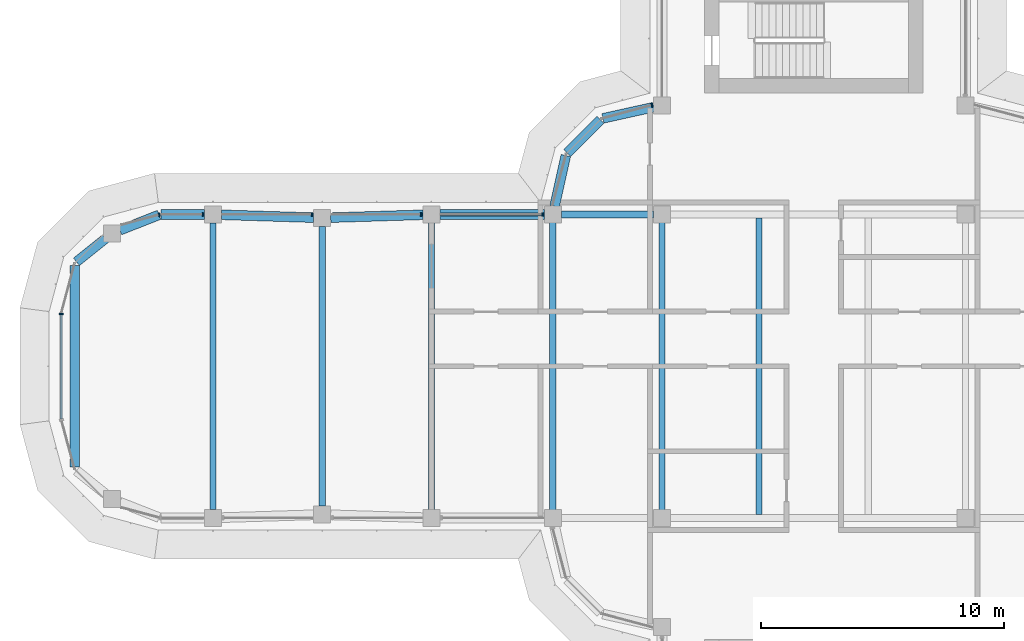
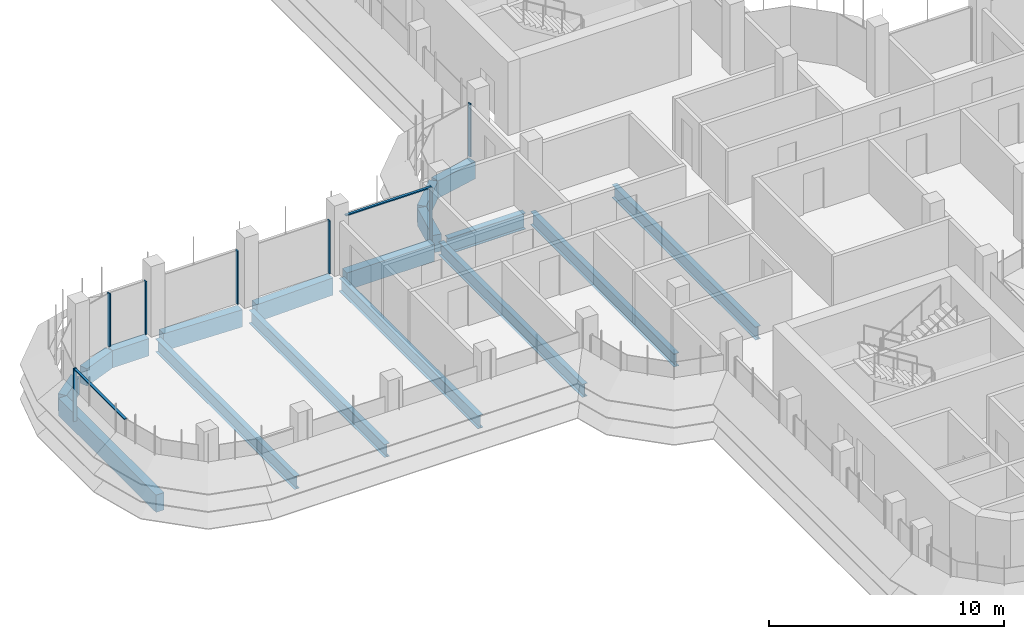
# One storey, part 6 of 18: 17 beams, 9 members, 4 elements without a shape of their own.
"""IFC4 building model written with IfcOpenShell, lengths in metres."""

from ifc_helpers import new_model, si_unit, direction, frame, origin, origin_2d, place, context, subcontext, project, spatial, polyline, rectangle, i_section, outline, extrude, source, transform, mapped, material, material_profile, profile_set, type_object, element, aggregate, save


model = new_model("IFC4")

# Units and contexts
model_context = context("Model", 3, precision=1e-05, world=origin(), true_north=direction((0.0, 1.0)))
body_context = subcontext(model_context, "Body", "Model", "MODEL_VIEW")
ifc_project = project(units=[si_unit("LENGTHUNIT", "METRE"), si_unit("AREAUNIT", "SQUARE_METRE"), si_unit("VOLUMEUNIT", "CUBIC_METRE"), si_unit("PLANEANGLEUNIT", "RADIAN"), si_unit("MASSUNIT", "GRAM", prefix="KILO")], contexts=[model_context])

# Site, building, storey
site_placement = place(None, origin())
site = spatial("IfcSite", under=ifc_project, at=site_placement, CompositionType="ELEMENT")
building_placement = place(site_placement, origin())
building = spatial("IfcBuilding", under=site, at=building_placement, Name="Zarbagh Exchange Tower", CompositionType="ELEMENT")
storey_placement = place(building_placement, frame((0.0, 0.0, 206.800048828125)))
storey = spatial("IfcBuildingStorey", under=building, at=storey_placement, Name="L50", CompositionType="ELEMENT", Elevation=206.800048828125)

# Beams
ifc_material_1 = material(Name="Steel ASTM A992 Gr 50", Category="steel")
ifc_material_profile_1 = material_profile(ifc_material_1, i_section(OverallWidth=0.25390625, OverallDepth=0.67822265625, WebThickness=0.01171875, FlangeThickness=0.016357421875, at=origin_2d()), Name="W27X84")
ifc_profile_set_1 = profile_set([ifc_material_profile_1], Name="Steel ASTM A992 Gr 50")
beam_type_1 = type_object("IfcBeamType", Name="Floor beam W27X84", PredefinedType="BEAM", material=ifc_profile_set_1)
for number, where, z_axis, x_axis, name in (
    (1, (-10.75, -6.10400390625, -0.4892578125), (0.0, 1.0, 0.0), (-1.0, 0.0, 0.0), "Steel floor beam"),
    (2, (-6.25, -6.10400390625, -0.4892578125), (0.0, 1.0, 0.0), (-1.0, 0.0, 0.0), "Steel floor beam"),
    (3, (-2.25, -6.10400390625, -0.4892578125), (0.0, 1.0, 0.0), (-1.0, 0.0, 0.0), "Steel floor beam"),
):
    element("IfcBeam", number, at=place(storey_placement, frame(where, z_axis=z_axis, x_axis=x_axis)), inside=storey, type_object=beam_type_1, Name=name, PredefinedType="BEAM", context=body_context, shape_type="SweptSolid", body=[
        extrude(i_section(OverallWidth=0.25390625, OverallDepth=0.67822265625, WebThickness=0.01171875, FlangeThickness=0.016357421875, at=origin_2d()), origin(), (0.0, 0.0, 1.0), 12.2080078125),
    ])
beam_1_placement = place(storey_placement, frame((-15.75, -5.89990234375, -0.4892578125), z_axis=(0.0, 1.0, 0.0), x_axis=(-1.0, 0.0, 0.0)))
element("IfcBeam", 4, at=beam_1_placement, inside=storey, type_object=beam_type_1, Name="Steel floor beam", PredefinedType="BEAM", context=body_context, shape_type="SweptSolid", body=[
    extrude(i_section(OverallWidth=0.25390625, OverallDepth=0.67822265625, WebThickness=0.01171875, FlangeThickness=0.016357421875, at=origin_2d()), origin(), (0.0, 0.0, 1.0), 11.7998046875),
])
beam_2_placement = place(storey_placement, frame((-20.25, -5.760009765625, -0.4892578125), z_axis=(0.0, 1.0, 0.0), x_axis=(-1.0, 0.0, 0.0)))
element("IfcBeam", 5, at=beam_2_placement, inside=storey, type_object=beam_type_1, Name="Steel floor beam", PredefinedType="BEAM", context=body_context, shape_type="SweptSolid", body=[
    extrude(i_section(OverallWidth=0.25390625, OverallDepth=0.67822265625, WebThickness=0.01171875, FlangeThickness=0.016357421875, at=origin_2d()), origin(), (0.0, 0.0, 1.0), 11.52001953125),
])
beam_3_placement = place(storey_placement, frame((-24.75, -5.89990234375, -0.4892578125), z_axis=(0.0, 1.0, 0.0), x_axis=(-1.0, 0.0, 0.0)))
element("IfcBeam", 6, at=beam_3_placement, inside=storey, type_object=beam_type_1, Name="Steel floor beam", PredefinedType="BEAM", context=body_context, shape_type="SweptSolid", body=[
    extrude(i_section(OverallWidth=0.25390625, OverallDepth=0.67822265625, WebThickness=0.01171875, FlangeThickness=0.016357421875, at=origin_2d()), origin(), (0.0, 0.0, 1.0), 11.7998046875),
])
ifc_material_profile_2 = material_profile(ifc_material_1, i_section(OverallWidth=0.2919921875, OverallDepth=0.835693359375, WebThickness=0.013916015625, FlangeThickness=0.018798828125, at=origin_2d()), Name="W33X118")
ifc_profile_set_2 = profile_set([ifc_material_profile_2], Name="Steel ASTM A992 Gr 50")
beam_type_2 = type_object("IfcBeamType", Name="Floor girder W33X118", PredefinedType="BEAM", material=ifc_profile_set_2)
beam_4_placement = place(storey_placement, frame((-10.39990234375, 6.25, -0.56787109375), z_axis=(1.0, 0.0, 0.0), x_axis=(0.0, 1.0, 0.0)))
element("IfcBeam", 7, at=beam_4_placement, inside=storey, type_object=beam_type_2, Name="Steel girder", PredefinedType="BEAM", context=body_context, shape_type="SweptSolid", body=[
    extrude(i_section(OverallWidth=0.2919921875, OverallDepth=0.835693359375, WebThickness=0.013916015625, FlangeThickness=0.018798828125, at=origin_2d()), origin(), (0.0, 0.0, 1.0), 3.7998046875),
])
ifc_material_2 = material(Name="Concrete C50/60", Category="concrete")
ifc_material_profile_3 = material_profile(ifc_material_2, rectangle(XDim=0.39990234375, YDim=0.89990234375, at=origin_2d()), Name="RC spandrel beam 400 x 900 C50/60")
ifc_profile_set_3 = profile_set([ifc_material_profile_3], Name="Concrete C50/60")
beam_type_3 = type_object("IfcBeamType", Name="RC spandrel beam 400 x 900 C50/60", PredefinedType="SPANDREL", material=ifc_profile_set_3)
beam_5_placement = place(storey_placement, frame((-30.44873046875, -4.14501953125, -0.60009765625), z_axis=(0.0, 1.0, 0.0), x_axis=(-1.0, 0.0, 0.0)))
element("IfcBeam", 8, at=beam_5_placement, inside=storey, type_object=beam_type_3, Name="RC spandrel beam", PredefinedType="SPANDREL", context=body_context, shape_type="SweptSolid", body=[
    extrude(rectangle(XDim=0.39990234375, YDim=0.89990234375, at=origin_2d()), origin(), (0.0, 0.0, 1.0), 8.2900390625),
])
beam_6_placement = place(storey_placement, frame((-30.373779296875, 4.30126953125, -0.60009765625), z_axis=(0.780634897504, 0.62498732531, 0.0), x_axis=(-0.62498732531, 0.780634897504, 0.0)))
element("IfcBeam", 9, at=beam_6_placement, inside=storey, type_object=beam_type_3, Name="RC spandrel beam", PredefinedType="SPANDREL", context=body_context, shape_type="SweptSolid", body=[
    extrude(rectangle(XDim=0.39990234375, YDim=0.89990234375, at=origin_2d()), origin(), (0.0, 0.0, 1.0), 1.52783203125),
])
beam_7_placement = place(storey_placement, frame((-28.582275390625, 5.602783203125, -0.60009765625), z_axis=(0.930809711446, 0.365504146457, 0.0), x_axis=(-0.365504146457, 0.930809711446, 0.0)))
element("IfcBeam", 10, at=beam_7_placement, inside=storey, type_object=beam_type_3, Name="RC spandrel beam", PredefinedType="SPANDREL", context=body_context, shape_type="SweptSolid", body=[
    extrude(rectangle(XDim=0.39990234375, YDim=0.89990234375, at=origin_2d()), origin(), (0.0, 0.0, 1.0), 1.732666015625),
])
beam_8_placement = place(storey_placement, frame((-26.896240234375, 6.25, -0.60009765625), z_axis=(1.0, 0.0, 0.0), x_axis=(0.0, 1.0, 0.0)))
element("IfcBeam", 11, at=beam_8_placement, inside=storey, type_object=beam_type_3, Name="RC spandrel beam", PredefinedType="SPANDREL", context=body_context, shape_type="SweptSolid", body=[
    extrude(rectangle(XDim=0.39990234375, YDim=0.89990234375, at=origin_2d()), origin(), (0.0, 0.0, 1.0), 1.796142578125),
])
for number, where, z_axis, x_axis, name in (
    (12, (-24.400146484375, 6.239013671875, -0.60009765625), (0.999516950199, -0.031078389046, 0.0), (0.031078389046, 0.999516950199, 0.0), "RC spandrel beam"),
    (13, (-19.900146484375, 6.120849609375, -0.60009765625), (0.999516950199, 0.031078389046, 0.0), (-0.031078389046, 0.999516950199, 0.0), "RC spandrel beam"),
):
    element("IfcBeam", number, at=place(storey_placement, frame(where, z_axis=z_axis, x_axis=x_axis)), inside=storey, type_object=beam_type_3, Name=name, PredefinedType="SPANDREL", context=body_context, shape_type="SweptSolid", body=[
        extrude(rectangle(XDim=0.39990234375, YDim=0.89990234375, at=origin_2d()), origin(), (0.0, 0.0, 1.0), 3.80224609375),
    ])
beam_9_placement = place(storey_placement, frame((-15.39990234375, 6.25, -0.60009765625), z_axis=(1.0, 0.0, 0.0), x_axis=(0.0, 1.0, 0.0)))
element("IfcBeam", 14, at=beam_9_placement, inside=storey, type_object=beam_type_3, Name="RC spandrel beam", PredefinedType="SPANDREL", context=body_context, shape_type="SweptSolid", body=[
    extrude(rectangle(XDim=0.39990234375, YDim=0.89990234375, at=origin_2d()), origin(), (0.0, 0.0, 1.0), 4.2998046875),
])
beam_10_placement = place(storey_placement, frame((-10.67431640625, 6.591796875, -0.60009765625), z_axis=(0.216013551096, 0.97639036545, 0.0), x_axis=(-0.97639036545, 0.216013551096, 0.0)))
element("IfcBeam", 15, at=beam_10_placement, inside=storey, type_object=beam_type_3, Name="RC spandrel beam", PredefinedType="SPANDREL", context=body_context, shape_type="SweptSolid", body=[
    extrude(rectangle(XDim=0.39990234375, YDim=0.89990234375, at=origin_2d()), origin(), (0.0, 0.0, 1.0), 2.142822265625),
])
beam_11_placement = place(storey_placement, frame((-10.15771484375, 8.782470703125, -0.60009765625), z_axis=(0.707106781187, 0.707106781187, 0.0), x_axis=(-0.707106781187, 0.707106781187, 0.0)))
element("IfcBeam", 16, at=beam_11_placement, inside=storey, type_object=beam_type_3, Name="RC spandrel beam", PredefinedType="SPANDREL", context=body_context, shape_type="SweptSolid", body=[
    extrude(rectangle(XDim=0.39990234375, YDim=0.89990234375, at=origin_2d()), origin(), (0.0, 0.0, 1.0), 1.94482421875),
])
beam_12_placement = place(storey_placement, frame((-8.68408203125, 10.21142578125, -0.60009765625), z_axis=(0.97639036545, 0.216013551096, 0.0), x_axis=(-0.216013551096, 0.97639036545, 0.0)))
element("IfcBeam", 17, at=beam_12_placement, inside=storey, type_object=beam_type_3, Name="RC spandrel beam", PredefinedType="SPANDREL", context=body_context, shape_type="SweptSolid", body=[
    extrude(rectangle(XDim=0.39990234375, YDim=0.89990234375, at=origin_2d()), origin(), (0.0, 0.0, 1.0), 2.142822265625),
])

# Curtain wall, member
ifc_material_3 = material(Name="Anodised aluminium frame and glazing", Category="aluminium")
curtain_wall_type = type_object("IfcCurtainWallType", Name="CWB Ribbon glazing, upper zones", PredefinedType="NOTDEFINED", material=ifc_material_3)
curtain_wall_1_placement = place(storey_placement, origin())
curtain_wall_1 = element("IfcCurtainWall", 18, at=curtain_wall_1_placement, inside=storey, type_object=curtain_wall_type, Name="CWB29 curtain wall", PredefinedType="NOTDEFINED")
ifc_material_4 = material(Name="Anodised aluminium frame", Category="aluminium")
member_type_1 = type_object("IfcMemberType", Name="MUB Mullion, anodised aluminium frame", PredefinedType="MULLION", material=ifc_material_4)
shared_shape_1 = source(origin(), body_context, "Body", "SweptSolid", [
    extrude(outline(polyline([(0.0, -0.080078125), (0.06005859375, -0.080078125), (0.06005859375, 0.080078125), (0.0, 0.080078125), (0.0, -0.080078125)])), origin(), (0.0, 0.0, 1.0), 2.75),
])
placement = place(storey_placement, origin())
member_1 = element("IfcMember", 19, at=placement, type_object=member_type_1, Name="CWB29 mullion 1.1", PredefinedType="MULLION", context=body_context, shape_type="MappedRepresentation", body=[
    mapped(shared_shape_1, transform((-6.64013671875, 10.76171875, 0.0), x_axis=(-0.965924289636, -0.258824779902, 0.0), y_axis=(0.258824779902, -0.965924289636, 0.0), z_axis=(0.0, 0.0, 1.0))),
])
aggregate(curtain_wall_1, [member_1])

# Curtain wall, members
curtain_wall_2_placement = place(storey_placement, origin())
curtain_wall_2 = element("IfcCurtainWall", 20, at=curtain_wall_2_placement, inside=storey, type_object=curtain_wall_type, Name="CWB58 curtain wall", PredefinedType="NOTDEFINED")
member_2 = element("IfcMember", 21, at=placement, type_object=member_type_1, Name="CWB58 mullion 1.1", PredefinedType="MULLION", context=body_context, shape_type="MappedRepresentation", body=[
    mapped(shared_shape_1, transform((-11.14013671875, 6.25, 0.0), x_axis=(-1.0, 0.0, 0.0), y_axis=(0.0, -1.0, 0.0), z_axis=(0.0, 0.0, 1.0))),
])
member_3 = element("IfcMember", 22, at=placement, type_object=member_type_1, Name="CWB58 mullion 2.1", PredefinedType="MULLION", context=body_context, shape_type="MappedRepresentation", body=[
    mapped(shared_shape_1, transform((-16.14013671875, 6.25, 0.0), x_axis=(-1.0, 0.0, 0.0), y_axis=(0.0, -1.0, 0.0), z_axis=(0.0, 0.0, 1.0))),
])
member_4 = element("IfcMember", 23, at=placement, type_object=member_type_1, Name="CWB58 mullion 3.1", PredefinedType="MULLION", context=body_context, shape_type="MappedRepresentation", body=[
    mapped(shared_shape_1, transform((-20.64013671875, 6.25, 0.0), x_axis=(-1.0, 0.0, 0.0), y_axis=(0.0, -1.0, 0.0), z_axis=(0.0, 0.0, 1.0))),
])
member_5 = element("IfcMember", 24, at=placement, type_object=member_type_1, Name="CWB58 mullion 4.1", PredefinedType="MULLION", context=body_context, shape_type="MappedRepresentation", body=[
    mapped(shared_shape_1, transform((-25.14013671875, 6.25, 0.0), x_axis=(-1.0, 0.0, 0.0), y_axis=(0.0, -1.0, 0.0), z_axis=(0.0, 0.0, 1.0))),
])

# Curtain wall, member
curtain_wall_3_placement = place(storey_placement, origin())
curtain_wall_3 = element("IfcCurtainWall", 25, at=curtain_wall_3_placement, inside=storey, type_object=curtain_wall_type, Name="CWB59 curtain wall", PredefinedType="NOTDEFINED")
member_6 = element("IfcMember", 26, at=placement, type_object=member_type_1, Name="CWB59 mullion 1.1", PredefinedType="MULLION", context=body_context, shape_type="MappedRepresentation", body=[
    mapped(shared_shape_1, transform((-26.93408203125, 6.25, 0.0), x_axis=(-0.965924289636, -0.258824779902, 0.0), y_axis=(0.258824779902, -0.965924289636, 0.0), z_axis=(0.0, 0.0, 1.0))),
])
aggregate(curtain_wall_3, [member_6])

# Curtain wall, members
curtain_wall_4_placement = place(storey_placement, origin())
curtain_wall_4 = element("IfcCurtainWall", 27, at=curtain_wall_4_placement, inside=storey, type_object=curtain_wall_type, Name="CWB66 curtain wall", PredefinedType="NOTDEFINED")
member_7 = element("IfcMember", 28, at=placement, type_object=member_type_1, Name="CWB66 mullion 1.1", PredefinedType="MULLION", context=body_context, shape_type="MappedRepresentation", body=[
    mapped(shared_shape_1, transform((-31.0, 2.18408203125, 0.0), x_axis=(0.0, -1.0, 0.0), y_axis=(1.0, 0.0, 0.0), z_axis=(0.0, 0.0, 1.0))),
])
member_type_2 = type_object("IfcMemberType", Name="TRB Transom, anodised aluminium frame", PredefinedType="USERDEFINED", material=ifc_material_4)
shared_shape_2 = source(origin(), body_context, "Body", "SweptSolid", [
    extrude(outline(polyline([(-0.06005859375, -0.06005859375), (0.0, -0.06005859375), (0.0, 0.06005859375), (-0.06005859375, 0.06005859375), (-0.06005859375, -0.06005859375)])), origin(), (0.0, 0.0, 1.0), 4.308349609375),
])
member_8 = element("IfcMember", 29, at=placement, type_object=member_type_2, Name="CWB66 transom 1.1", ObjectType="TRANSOM", PredefinedType="USERDEFINED", context=body_context, shape_type="MappedRepresentation", body=[
    mapped(shared_shape_2, transform((-31.0, 2.124267578125, 2.75), x_axis=(0.0, 0.0, 1.0), y_axis=(-1.0, 0.0, 0.0), z_axis=(0.0, -1.0, 0.0))),
])
aggregate(curtain_wall_4, [member_7, member_8])

# Member
shared_shape_3 = source(origin(), body_context, "Body", "SweptSolid", [
    extrude(outline(polyline([(-0.06005859375, -0.06005859375), (0.0, -0.06005859375), (0.0, 0.06005859375), (-0.06005859375, 0.06005859375), (-0.06005859375, -0.06005859375)])), origin(), (0.0, 0.0, 1.0), 4.159912109375),
])
member_9 = element("IfcMember", 30, at=placement, type_object=member_type_2, Name="CWB58 transom 1.1", ObjectType="TRANSOM", PredefinedType="USERDEFINED", context=body_context, shape_type="MappedRepresentation", body=[
    mapped(shared_shape_3, transform((-11.199951171875, 6.25, 2.75), x_axis=(0.0, 0.0, 1.0), y_axis=(0.0, 1.0, 0.0), z_axis=(-1.0, 0.0, 0.0))),
])

aggregate(curtain_wall_2, [member_2, member_9, member_3, member_4, member_5])

save(model, "model.ifc")
